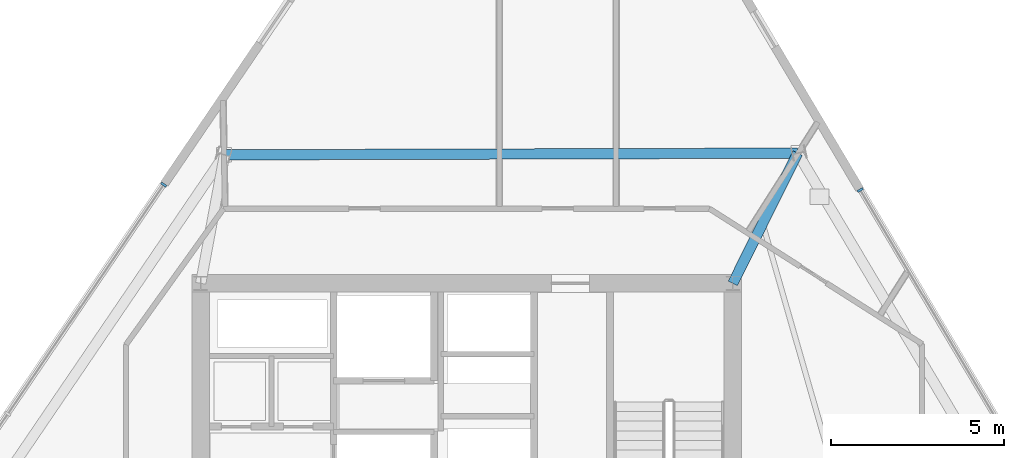
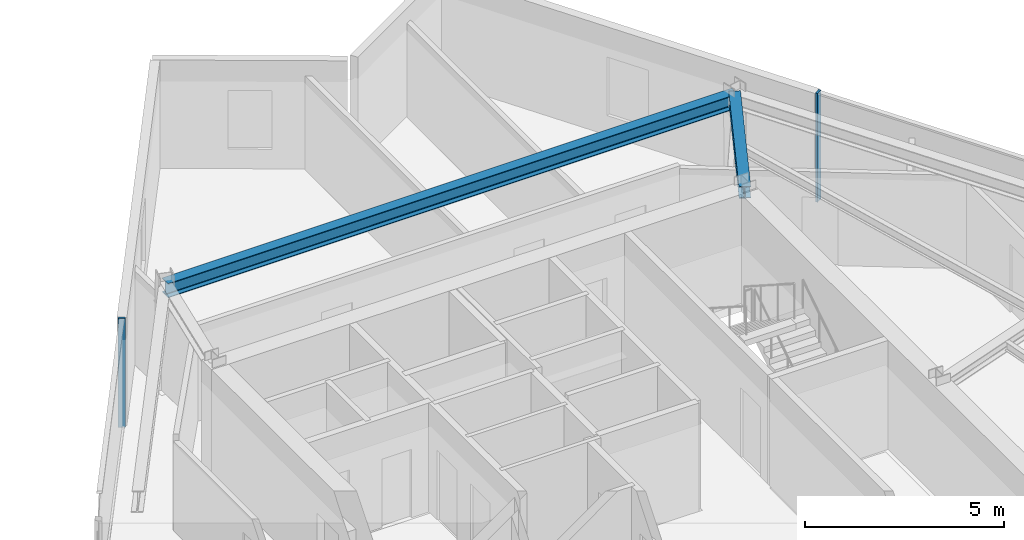
# One storey, part 6 of 15: 2 beams, 2 members, 2 elements without a shape of their own.
"""IFC4 building model written with IfcOpenShell, lengths in metres."""

from ifc_helpers import new_model, si_unit, direction, frame, origin, origin_2d, place, context, subcontext, project, spatial, rectangle, i_section, extrude, material, material_profile, profile_set, type_object, element, aggregate, save


model = new_model("IFC4")

# Units and contexts
model_context = context("Model", 3, precision=1e-05, world=origin(), true_north=direction((0.0, 1.0)))
body_context = subcontext(model_context, "Body", "Model", "MODEL_VIEW")
ifc_project = project(units=[si_unit("LENGTHUNIT", "METRE"), si_unit("AREAUNIT", "SQUARE_METRE"), si_unit("VOLUMEUNIT", "CUBIC_METRE"), si_unit("PLANEANGLEUNIT", "RADIAN"), si_unit("MASSUNIT", "GRAM", prefix="KILO")], contexts=[model_context])

# Site, building, storey
site_placement = place(None, origin())
site = spatial("IfcSite", under=ifc_project, at=site_placement, CompositionType="ELEMENT")
building_placement = place(site_placement, origin())
building = spatial("IfcBuilding", under=site, at=building_placement, Name="Savorim Split Tower", CompositionType="ELEMENT")
storey_placement = place(building_placement, frame((0.0, 0.0, 138.60009765625)))
storey = spatial("IfcBuildingStorey", under=building, at=storey_placement, Name="L36", CompositionType="ELEMENT", Elevation=138.60009765625)

# Beams
ifc_material_1 = material(Name="Steel S355", Category="steel")
ifc_material_profile_1 = material_profile(ifc_material_1, i_section(OverallWidth=0.300048828125, OverallDepth=0.360107421875, WebThickness=0.012451171875, FlangeThickness=0.0224609375, FilletRadius=0.027099609375, at=origin_2d()), Name="HEB 360")
ifc_profile_set_1 = profile_set([ifc_material_profile_1], Name="Steel S355")
beam_type_1 = type_object("IfcBeamType", Name="BM-PRI-HEB360", PredefinedType="BEAM", material=ifc_profile_set_1)
beam_1_placement = place(storey_placement, frame((9.575927734375, 13.966796875, 3.169921875), z_axis=(-0.445797437071, -0.895133869933, 0.0), x_axis=(0.895133869933, -0.445797437071, 0.0)))
element("IfcBeam", 1, at=beam_1_placement, inside=storey, type_object=beam_type_1, Name="L36 Primary Floor Girder RG-07", PredefinedType="BEAM", context=body_context, shape_type="SweptSolid", body=[
    extrude(i_section(OverallWidth=0.300048828125, OverallDepth=0.360107421875, WebThickness=0.012451171875, FlangeThickness=0.0224609375, FilletRadius=0.027099609375, at=origin_2d()), origin(), (0.0, 0.0, 1.0), 4.208251953125),
])
ifc_material_profile_2 = material_profile(ifc_material_1, i_section(OverallWidth=0.300048828125, OverallDepth=0.43994140625, WebThickness=0.011474609375, FlangeThickness=0.02099609375, FilletRadius=0.027099609375, at=origin_2d()), Name="HEA 450")
ifc_profile_set_2 = profile_set([ifc_material_profile_2], Name="Steel S355")
beam_type_2 = type_object("IfcBeamType", Name="BM-SPN-HEA450", PredefinedType="SPANDREL", material=ifc_profile_set_2)
beam_2_placement = place(storey_placement, frame((9.575927734375, 13.966796875, 3.1298828125), z_axis=(-0.999995666743, -0.002943891154, 0.0), x_axis=(0.002943891154, -0.999995666743, 0.0)))
element("IfcBeam", 2, at=beam_2_placement, inside=storey, type_object=beam_type_2, Name="L36 Perimeter Spandrel Beam 7", PredefinedType="SPANDREL", context=body_context, shape_type="SweptSolid", body=[
    extrude(i_section(OverallWidth=0.300048828125, OverallDepth=0.43994140625, WebThickness=0.011474609375, FlangeThickness=0.02099609375, FilletRadius=0.027099609375, at=origin_2d()), origin(), (0.0, 0.0, 1.0), 16.586181640625),
])

# Curtain wall, member
ifc_material_2 = material(Name="Dark Ceramic-Fritted Insulated Glass", Category="glass")
curtain_wall_type = type_object("IfcCurtainWallType", Name="CW-TWR-FRIT-A", PredefinedType="NOTDEFINED", material=ifc_material_2)
curtain_wall_1_placement = place(storey_placement, origin())
curtain_wall_1 = element("IfcCurtainWall", 3, at=curtain_wall_1_placement, inside=storey, type_object=curtain_wall_type, Name="L36 Curtain Wall CW-L36-EAST", PredefinedType="NOTDEFINED")
ifc_material_3 = material(Name="Charcoal Anodised Aluminium", Category="aluminium")
ifc_material_profile_3 = material_profile(ifc_material_3, rectangle(XDim=0.179931640625, YDim=0.06494140625, at=origin_2d()), Name="ALU-M 180x65")
ifc_profile_set_3 = profile_set([ifc_material_profile_3], Name="Charcoal Anodised Aluminium")
member_type = type_object("IfcMemberType", Name="CWM-180x65", PredefinedType="MULLION", material=ifc_profile_set_3)
member_1_placement = place(storey_placement, frame((11.386962890625, 12.898193359375, 0.0), z_axis=(0.0, 0.0, 1.0), x_axis=(-0.859526328423, -0.511091470039, 0.0)))
member_1 = element("IfcMember", 4, at=member_1_placement, type_object=member_type, Name="CW-02 mullion 5", PredefinedType="MULLION", context=body_context, shape_type="SweptSolid", body=[
    extrude(rectangle(XDim=0.179931640625, YDim=0.06494140625, at=origin_2d()), origin(), (0.0, 0.0, 1.0), 3.349853515625),
])
aggregate(curtain_wall_1, [member_1])

curtain_wall_2_placement = place(storey_placement, origin())
curtain_wall_2 = element("IfcCurtainWall", 5, at=curtain_wall_2_placement, inside=storey, type_object=curtain_wall_type, Name="L36 Curtain Wall CW-L36-WEST", PredefinedType="NOTDEFINED")
member_2_placement = place(storey_placement, frame((-8.768798828125, 13.053955078125, 0.0), z_axis=(0.0, 0.0, 1.0), x_axis=(0.826820104662, -0.562466456356, 0.0)))
member_2 = element("IfcMember", 6, at=member_2_placement, type_object=member_type, Name="CW-02 mullion 1", PredefinedType="MULLION", context=body_context, shape_type="SweptSolid", body=[
    extrude(rectangle(XDim=0.179931640625, YDim=0.06494140625, at=origin_2d()), origin(), (0.0, 0.0, 1.0), 3.349853515625),
])
aggregate(curtain_wall_2, [member_2])

save(model, "model.ifc")
